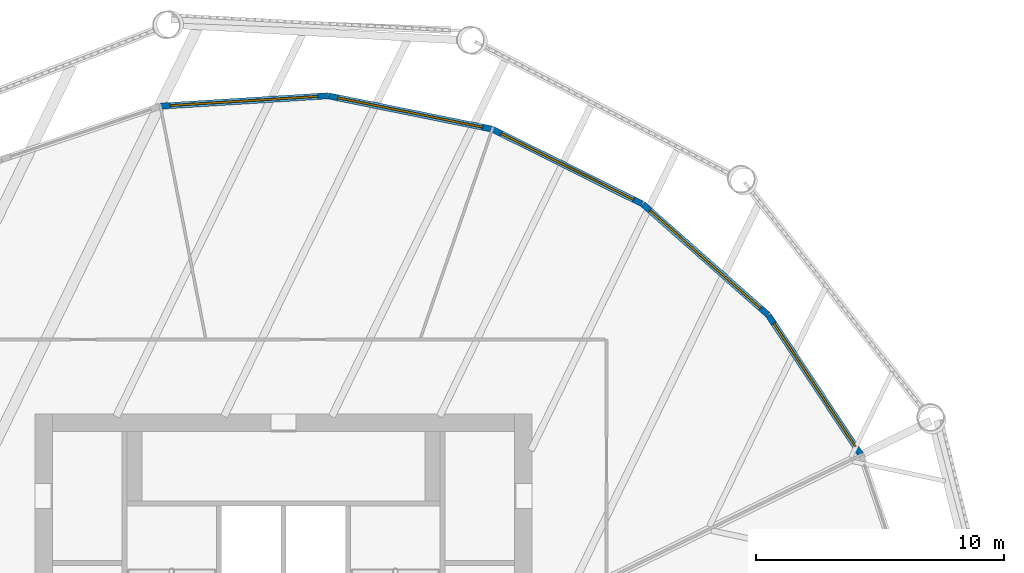
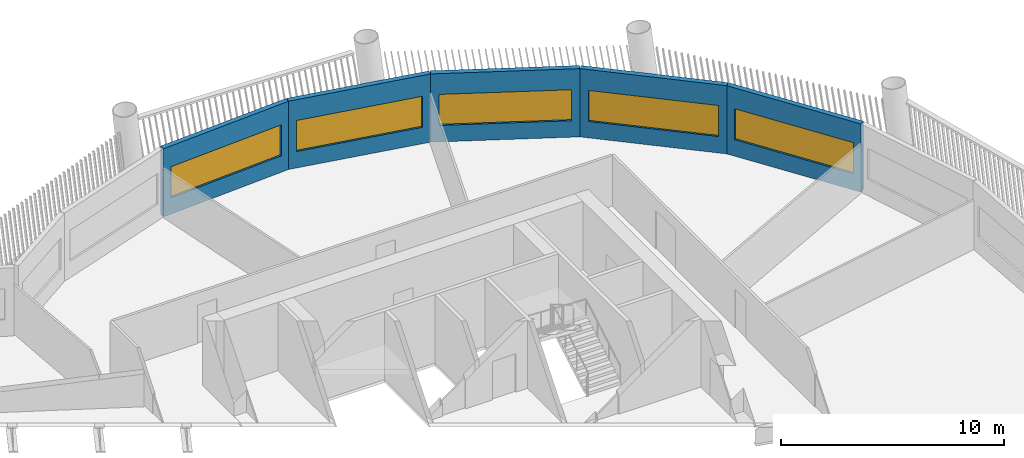
# One storey, part 7 of 15: 5 walls, 5 windows, 5 openings.
"""IFC4 building model written with IfcOpenShell, lengths in metres."""

from ifc_helpers import new_model, si_unit, direction, frame, frame_2d, origin, place, context, subcontext, project, spatial, rectangle, extrude, material, layer, layer_set, type_object, element, fill, save


model = new_model("IFC4")

# Units and contexts
model_context = context("Model", 3, precision=1e-05, world=origin(), true_north=direction((0.0, 1.0)))
body_context = subcontext(model_context, "Body", "Model", "MODEL_VIEW")
ifc_project = project(units=[si_unit("LENGTHUNIT", "METRE"), si_unit("AREAUNIT", "SQUARE_METRE"), si_unit("VOLUMEUNIT", "CUBIC_METRE"), si_unit("PLANEANGLEUNIT", "RADIAN"), si_unit("MASSUNIT", "GRAM", prefix="KILO")], contexts=[model_context])

# Site, building, storey
site_placement = place(None, origin())
site = spatial("IfcSite", under=ifc_project, at=site_placement, CompositionType="ELEMENT")
building_placement = place(site_placement, origin())
building = spatial("IfcBuilding", under=site, at=building_placement, Name="Tarsis Ring Headquarters", CompositionType="ELEMENT")
storey_placement = place(building_placement, frame((0.0, 0.0, 174.89990234375)))
storey = spatial("IfcBuildingStorey", under=building, at=storey_placement, Name="L40", CompositionType="ELEMENT", Elevation=174.89990234375)

# Wall, opening, window
ifc_material_1 = material(Name="Terracotta clad insulated panel wall", Category="masonry")
ifc_layer = layer(ifc_material_1, 0.25)
ifc_layer_set = layer_set([ifc_layer], Name="Facade wall terracotta panel 250")
wall_type = type_object("IfcWallType", Name="Facade wall terracotta panel 250", PredefinedType="STANDARD", material=ifc_layer_set)
wall_1_placement = place(storey_placement, frame((23.23828125, 11.372314453125, 0.0), z_axis=(0.0, 0.0, 1.0), x_axis=(-0.552535745188, 0.833489202263, 0.0)))
wall_1 = element("IfcWall", 1, at=wall_1_placement, inside=storey, type_object=wall_type, Name="External wall L40-24", PredefinedType="STANDARD", context=body_context, shape_type="SweptSolid", body=[
    extrude(rectangle(XDim=6.721435546875, YDim=0.25, at=frame_2d((3.36083984375, 0.0))), origin(), (0.0, 0.0, 1.0), 3.739990234375),
])
opening_1_placement = place(wall_1_placement, frame((0.3857421875, 0.0, 0.89990234375)))
opening_1 = element("IfcOpeningElement", 2, at=opening_1_placement, cuts=wall_1, Name="Opening WN07", PredefinedType="OPENING", context=body_context, shape_type="SweptSolid", body=[
    extrude(rectangle(XDim=5.949951171875, YDim=1.699951171875, at=frame_2d((2.97509765625, 0.85009765625))), frame((0.0, 0.135009765625, 0.0), z_axis=(0.0, -1.0, 0.0), x_axis=(1.0, 0.0, 0.0)), (0.0, 0.0, 1.0), 0.27001953125),
])
ifc_material_2 = material(Name="Aluminium framed double glazing", Category="aluminium")
window_type = type_object("IfcWindowType", Name="Facade window 5950 x 1700", PartitioningType="SINGLE_PANEL", PredefinedType="WINDOW", material=ifc_material_2)
window_1_placement = place(opening_1_placement, origin())
window_1 = element("IfcWindow", 3, at=window_1_placement, inside=storey, type_object=window_type, Name="Window L40-24.1", OverallHeight=1.699951171875, OverallWidth=5.949951171875, PartitioningType="SINGLE_PANEL", PredefinedType="WINDOW", context=body_context, shape_type="SweptSolid", body=[
    extrude(rectangle(XDim=5.949951171875, YDim=1.699951171875, at=frame_2d((2.97509765625, 0.85009765625))), frame((0.0, 0.030029296875, 0.0), z_axis=(0.0, -1.0, 0.0), x_axis=(1.0, 0.0, 0.0)), (0.0, 0.0, 1.0), 0.06005859375),
])
fill(opening_1, window_1)

wall_2_placement = place(storey_placement, frame((19.503173828125, 16.999267578125, 0.0), z_axis=(0.0, 0.0, 1.0), x_axis=(-0.749415839681, 0.662099614285, 0.0)))
wall_2 = element("IfcWall", 4, at=wall_2_placement, inside=storey, type_object=wall_type, Name="External wall L40-25", PredefinedType="STANDARD", context=body_context, shape_type="SweptSolid", body=[
    extrude(rectangle(XDim=6.7216796875, YDim=0.25, at=frame_2d((3.36083984375, 0.0))), origin(), (0.0, 0.0, 1.0), 3.739990234375),
])
opening_2_placement = place(wall_2_placement, frame((0.3857421875, 0.0, 0.89990234375)))
opening_2 = element("IfcOpeningElement", 5, at=opening_2_placement, cuts=wall_2, Name="Opening WN07", PredefinedType="OPENING", context=body_context, shape_type="SweptSolid", body=[
    extrude(rectangle(XDim=5.949951171875, YDim=1.699951171875, at=frame_2d((2.97509765625, 0.85009765625))), frame((0.0, 0.135009765625, 0.0), z_axis=(0.0, -1.0, 0.0), x_axis=(1.0, 0.0, 0.0)), (0.0, 0.0, 1.0), 0.27001953125),
])
window_2_placement = place(opening_2_placement, origin())
window_2 = element("IfcWindow", 6, at=window_2_placement, inside=storey, type_object=window_type, Name="Window L40-25.1", OverallHeight=1.699951171875, OverallWidth=5.949951171875, PartitioningType="SINGLE_PANEL", PredefinedType="WINDOW", context=body_context, shape_type="SweptSolid", body=[
    extrude(rectangle(XDim=5.949951171875, YDim=1.699951171875, at=frame_2d((2.97509765625, 0.85009765625))), frame((0.0, 0.030029296875, 0.0), z_axis=(0.0, -1.0, 0.0), x_axis=(1.0, 0.0, 0.0)), (0.0, 0.0, 1.0), 0.06005859375),
])
fill(opening_2, window_2)

wall_3_placement = place(storey_placement, frame((14.438720703125, 21.4677734375, 0.0), z_axis=(0.0, 0.0, 1.0), x_axis=(-0.895232088882, 0.445600164986, 0.0)))
wall_3 = element("IfcWall", 7, at=wall_3_placement, inside=storey, type_object=wall_type, Name="External wall L40-26", PredefinedType="STANDARD", context=body_context, shape_type="SweptSolid", body=[
    extrude(rectangle(XDim=6.721435546875, YDim=0.25, at=frame_2d((3.36083984375, 0.0))), origin(), (0.0, 0.0, 1.0), 3.739990234375),
])
opening_3_placement = place(wall_3_placement, frame((0.3857421875, 0.0, 0.89990234375)))
opening_3 = element("IfcOpeningElement", 8, at=opening_3_placement, cuts=wall_3, Name="Opening WN07", PredefinedType="OPENING", context=body_context, shape_type="SweptSolid", body=[
    extrude(rectangle(XDim=5.949951171875, YDim=1.699951171875, at=frame_2d((2.97509765625, 0.85009765625))), frame((0.0, 0.135009765625, 0.0), z_axis=(0.0, -1.0, 0.0), x_axis=(1.0, 0.0, 0.0)), (0.0, 0.0, 1.0), 0.27001953125),
])
window_3_placement = place(opening_3_placement, origin())
window_3 = element("IfcWindow", 9, at=window_3_placement, inside=storey, type_object=window_type, Name="Window L40-26.1", OverallHeight=1.699951171875, OverallWidth=5.949951171875, PartitioningType="SINGLE_PANEL", PredefinedType="WINDOW", context=body_context, shape_type="SweptSolid", body=[
    extrude(rectangle(XDim=5.949951171875, YDim=1.699951171875, at=frame_2d((2.97509765625, 0.85009765625))), frame((0.0, 0.030029296875, 0.0), z_axis=(0.0, -1.0, 0.0), x_axis=(1.0, 0.0, 0.0)), (0.0, 0.0, 1.0), 0.06005859375),
])
fill(opening_3, window_3)

wall_4_placement = place(storey_placement, frame((8.390625, 24.473388671875, 0.0), z_axis=(0.0, 0.0, 1.0), x_axis=(-0.980064632164, 0.198678928879, 0.0)))
wall_4 = element("IfcWall", 10, at=wall_4_placement, inside=storey, type_object=wall_type, Name="External wall L40-27", PredefinedType="STANDARD", context=body_context, shape_type="SweptSolid", body=[
    extrude(rectangle(XDim=6.7216796875, YDim=0.25, at=frame_2d((3.36083984375, 0.0))), origin(), (0.0, 0.0, 1.0), 3.739990234375),
])
opening_4_placement = place(wall_4_placement, frame((0.3857421875, 0.0, 0.89990234375)))
opening_4 = element("IfcOpeningElement", 11, at=opening_4_placement, cuts=wall_4, Name="Opening WN07", PredefinedType="OPENING", context=body_context, shape_type="SweptSolid", body=[
    extrude(rectangle(XDim=5.949951171875, YDim=1.699951171875, at=frame_2d((2.97509765625, 0.85009765625))), frame((0.0, 0.135009765625, 0.0), z_axis=(0.0, -1.0, 0.0), x_axis=(1.0, 0.0, 0.0)), (0.0, 0.0, 1.0), 0.27001953125),
])
window_4_placement = place(opening_4_placement, origin())
window_4 = element("IfcWindow", 12, at=window_4_placement, inside=storey, type_object=window_type, Name="Window L40-27.1", OverallHeight=1.699951171875, OverallWidth=5.949951171875, PartitioningType="SINGLE_PANEL", PredefinedType="WINDOW", context=body_context, shape_type="SweptSolid", body=[
    extrude(rectangle(XDim=5.949951171875, YDim=1.699951171875, at=frame_2d((2.97509765625, 0.85009765625))), frame((0.0, 0.030029296875, 0.0), z_axis=(0.0, -1.0, 0.0), x_axis=(1.0, 0.0, 0.0)), (0.0, 0.0, 1.0), 0.06005859375),
])
fill(opening_4, window_4)

wall_5_placement = place(storey_placement, frame((1.7705078125, 25.81103515625, 0.0), z_axis=(0.0, 0.0, 1.0), x_axis=(-0.998091810336, -0.061747373542, 0.0)))
wall_5 = element("IfcWall", 13, at=wall_5_placement, inside=storey, type_object=wall_type, Name="External wall L40-28", PredefinedType="STANDARD", context=body_context, shape_type="SweptSolid", body=[
    extrude(rectangle(XDim=6.7216796875, YDim=0.25, at=frame_2d((3.36083984375, 0.0))), origin(), (0.0, 0.0, 1.0), 3.739990234375),
])
opening_5_placement = place(wall_5_placement, frame((0.3857421875, 0.0, 0.89990234375)))
opening_5 = element("IfcOpeningElement", 14, at=opening_5_placement, cuts=wall_5, Name="Opening WN07", PredefinedType="OPENING", context=body_context, shape_type="SweptSolid", body=[
    extrude(rectangle(XDim=5.949951171875, YDim=1.699951171875, at=frame_2d((2.97509765625, 0.85009765625))), frame((0.0, 0.135009765625, 0.0), z_axis=(0.0, -1.0, 0.0), x_axis=(1.0, 0.0, 0.0)), (0.0, 0.0, 1.0), 0.27001953125),
])
window_5_placement = place(opening_5_placement, origin())
window_5 = element("IfcWindow", 15, at=window_5_placement, inside=storey, type_object=window_type, Name="Window L40-28.1", OverallHeight=1.699951171875, OverallWidth=5.949951171875, PartitioningType="SINGLE_PANEL", PredefinedType="WINDOW", context=body_context, shape_type="SweptSolid", body=[
    extrude(rectangle(XDim=5.949951171875, YDim=1.699951171875, at=frame_2d((2.97509765625, 0.85009765625))), frame((0.0, 0.030029296875, 0.0), z_axis=(0.0, -1.0, 0.0), x_axis=(1.0, 0.0, 0.0)), (0.0, 0.0, 1.0), 0.06005859375),
])
fill(opening_5, window_5)

save(model, "model.ifc")
